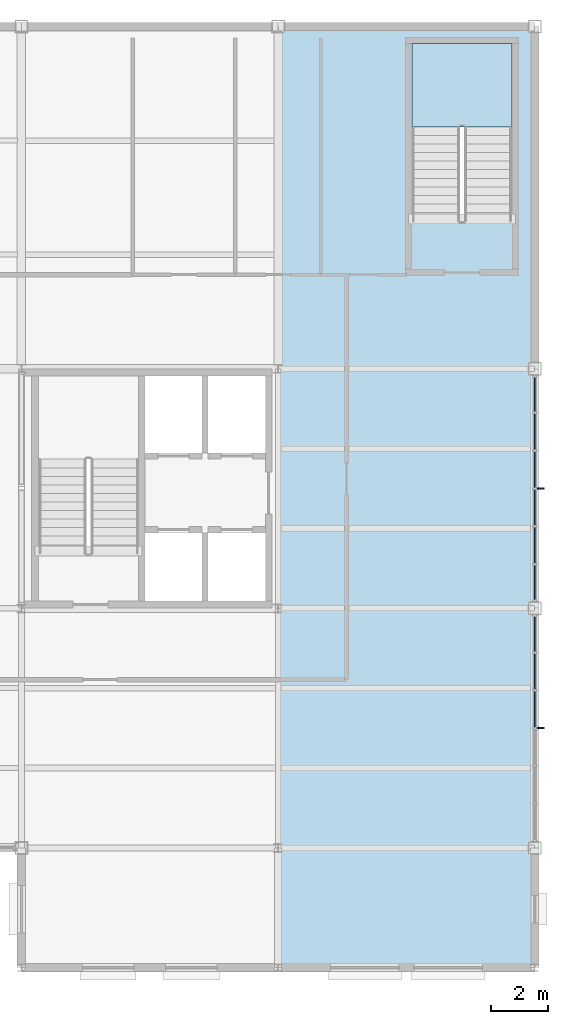
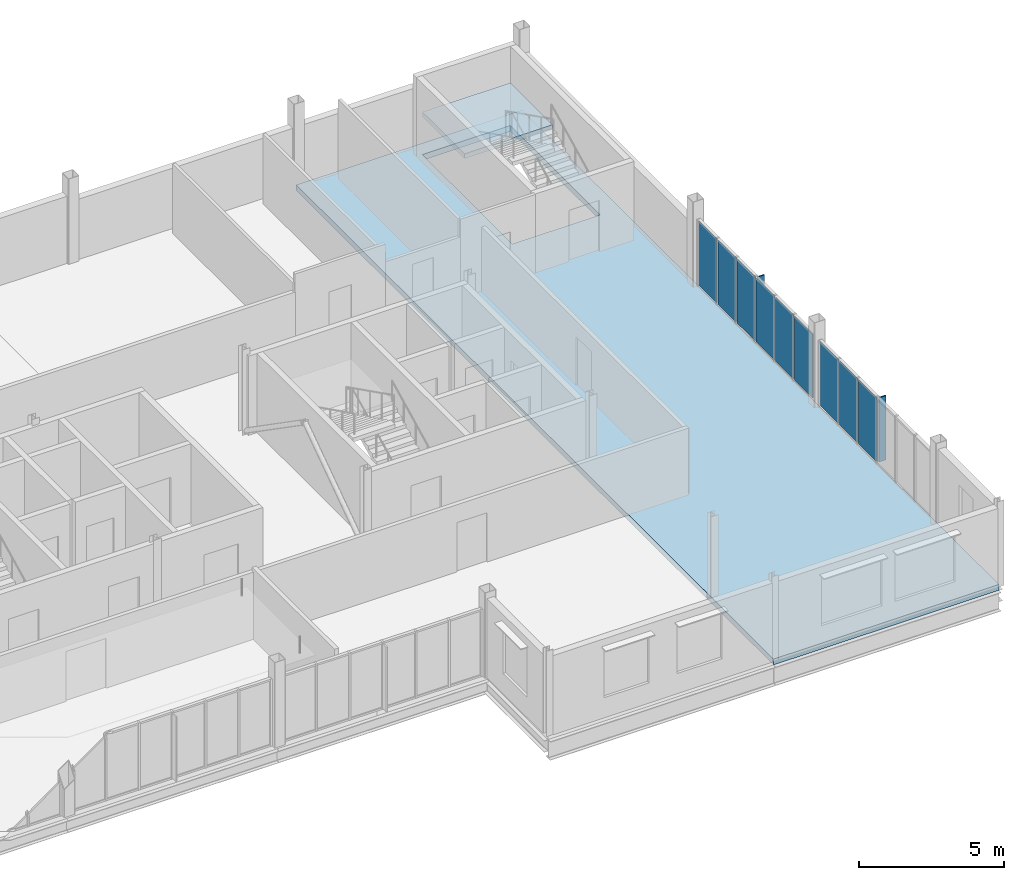
# One storey, part 12 of 19: 11 plates, 2 slabs, 3 elements without a shape of their own.
"""IFC4 building model written with IfcOpenShell, lengths in metres."""

from ifc_helpers import new_model, si_unit, direction, frame, origin, origin_2d, place, context, subcontext, project, spatial, polyline, rectangle, outline, extrude, material, layer, layer_set, type_object, element, aggregate, save


model = new_model("IFC4")

# Units and contexts
model_context = context("Model", 3, precision=1e-05, world=origin(), true_north=direction((0.0, 1.0)))
body_context = subcontext(model_context, "Body", "Model", "MODEL_VIEW")
ifc_project = project(units=[si_unit("LENGTHUNIT", "METRE"), si_unit("AREAUNIT", "SQUARE_METRE"), si_unit("VOLUMEUNIT", "CUBIC_METRE"), si_unit("PLANEANGLEUNIT", "RADIAN"), si_unit("MASSUNIT", "GRAM", prefix="KILO")], contexts=[model_context])

# Site, building, storey
site_placement = place(None, origin())
site = spatial("IfcSite", under=ifc_project, at=site_placement, CompositionType="ELEMENT")
building_placement = place(site_placement, origin())
building = spatial("IfcBuilding", under=site, at=building_placement, Name="Yukiwa Park Conservatory and Herbarium", CompositionType="ELEMENT")
storey_placement = place(building_placement, frame((0.0, 0.0, 46.800048828125)))
storey = spatial("IfcBuildingStorey", under=building, at=storey_placement, Name="L12", CompositionType="ELEMENT", Elevation=46.800048828125)

# Curtain wall, plates
ifc_material_1 = material(Name="Triple Low-E Insulated Glass", Category="glass")
ifc_layer_1 = layer(ifc_material_1, 0.22412109375)
ifc_layer_set_1 = layer_set([ifc_layer_1], Name="Triple Low-E Insulated Glass")
curtain_wall_type = type_object("IfcCurtainWallType", Name="CW-TOWER-CORNER-1400", PredefinedType="NOTDEFINED", material=ifc_layer_set_1)
curtain_wall_1_placement = place(storey_placement, origin())
curtain_wall_1 = element("IfcCurtainWall", 1, at=curtain_wall_1_placement, inside=storey, type_object=curtain_wall_type, Name="L12 unitised curtain wall CW-L12-119", PredefinedType="NOTDEFINED")
ifc_material_2 = material(Name="Triple Low-E Insulated Glass", Category="glass")
ifc_layer_2 = layer(ifc_material_2, 0.035888671875)
ifc_layer_set_2 = layer_set([ifc_layer_2], Name="Triple Low-E Insulated Glass")
plate_type_1 = type_object("IfcPlateType", Name="PL-CW-GLZ-36", PredefinedType="CURTAIN_PANEL", material=ifc_layer_set_2)
plate_1_placement = place(storey_placement, frame((168.0, 91.262451171875, 0.06982421875), z_axis=(0.0, 0.0, 1.0), x_axis=(0.0, 1.0, 0.0)))
plate_1 = element("IfcPlate", 2, at=plate_1_placement, type_object=plate_type_1, Name="CW-L12-119 vision panel 4.1", PredefinedType="CURTAIN_PANEL", context=body_context, shape_type="SweptSolid", body=[
    extrude(rectangle(XDim=1.2548828125, YDim=0.035888671875, at=origin_2d()), origin(), (0.0, 0.0, 1.0), 2.697998046875),
])
plate_2_placement = place(storey_placement, frame((168.0, 92.58740234375, 0.06982421875), z_axis=(0.0, 0.0, 1.0), x_axis=(0.0, 1.0, 0.0)))
plate_2 = element("IfcPlate", 3, at=plate_2_placement, type_object=plate_type_1, Name="CW-L12-119 vision panel 5.1", PredefinedType="CURTAIN_PANEL", context=body_context, shape_type="SweptSolid", body=[
    extrude(rectangle(XDim=1.2548828125, YDim=0.035888671875, at=origin_2d()), origin(), (0.0, 0.0, 1.0), 2.697998046875),
])
plate_3_placement = place(storey_placement, frame((168.0, 93.91259765625, 0.06982421875), z_axis=(0.0, 0.0, 1.0), x_axis=(0.0, 1.0, 0.0)))
plate_3 = element("IfcPlate", 4, at=plate_3_placement, type_object=plate_type_1, Name="CW-L12-119 vision panel 6.1", PredefinedType="CURTAIN_PANEL", context=body_context, shape_type="SweptSolid", body=[
    extrude(rectangle(XDim=1.2548828125, YDim=0.035888671875, at=origin_2d()), origin(), (0.0, 0.0, 1.0), 2.697998046875),
])
aggregate(curtain_wall_1, [plate_1, plate_2, plate_3])

curtain_wall_2_placement = place(storey_placement, origin())
curtain_wall_2 = element("IfcCurtainWall", 5, at=curtain_wall_2_placement, inside=storey, type_object=curtain_wall_type, Name="L12 unitised curtain wall CW-L12-120", PredefinedType="NOTDEFINED")
plate_4_placement = place(storey_placement, frame((168.0, 95.6875, 0.06982421875), z_axis=(0.0, 0.0, 1.0), x_axis=(0.0, 1.0, 0.0)))
plate_4 = element("IfcPlate", 6, at=plate_4_placement, type_object=plate_type_1, Name="CW-L12-120 vision panel 1.1", PredefinedType="CURTAIN_PANEL", context=body_context, shape_type="SweptSolid", body=[
    extrude(rectangle(XDim=1.2548828125, YDim=0.035888671875, at=origin_2d()), origin(), (0.0, 0.0, 1.0), 2.697998046875),
])
plate_5_placement = place(storey_placement, frame((168.0, 97.012451171875, 0.06982421875), z_axis=(0.0, 0.0, 1.0), x_axis=(0.0, 1.0, 0.0)))
plate_5 = element("IfcPlate", 7, at=plate_5_placement, type_object=plate_type_1, Name="CW-L12-120 vision panel 2.1", PredefinedType="CURTAIN_PANEL", context=body_context, shape_type="SweptSolid", body=[
    extrude(rectangle(XDim=1.2548828125, YDim=0.035888671875, at=origin_2d()), origin(), (0.0, 0.0, 1.0), 2.697998046875),
])
plate_6_placement = place(storey_placement, frame((168.0, 98.33740234375, 0.06982421875), z_axis=(0.0, 0.0, 1.0), x_axis=(0.0, 1.0, 0.0)))
plate_6 = element("IfcPlate", 8, at=plate_6_placement, type_object=plate_type_1, Name="CW-L12-120 vision panel 3.1", PredefinedType="CURTAIN_PANEL", context=body_context, shape_type="SweptSolid", body=[
    extrude(rectangle(XDim=1.2548828125, YDim=0.035888671875, at=origin_2d()), origin(), (0.0, 0.0, 1.0), 2.697998046875),
])
plate_7_placement = place(storey_placement, frame((168.0, 99.66259765625, 0.06982421875), z_axis=(0.0, 0.0, 1.0), x_axis=(0.0, 1.0, 0.0)))
plate_7 = element("IfcPlate", 9, at=plate_7_placement, type_object=plate_type_1, Name="CW-L12-120 vision panel 4.1", PredefinedType="CURTAIN_PANEL", context=body_context, shape_type="SweptSolid", body=[
    extrude(rectangle(XDim=1.2548828125, YDim=0.035888671875, at=origin_2d()), origin(), (0.0, 0.0, 1.0), 2.697998046875),
])
plate_8_placement = place(storey_placement, frame((168.0, 100.987548828125, 0.06982421875), z_axis=(0.0, 0.0, 1.0), x_axis=(0.0, 1.0, 0.0)))
plate_8 = element("IfcPlate", 10, at=plate_8_placement, type_object=plate_type_1, Name="CW-L12-120 vision panel 5.1", PredefinedType="CURTAIN_PANEL", context=body_context, shape_type="SweptSolid", body=[
    extrude(rectangle(XDim=1.2548828125, YDim=0.035888671875, at=origin_2d()), origin(), (0.0, 0.0, 1.0), 2.697998046875),
])
plate_9_placement = place(storey_placement, frame((168.0, 102.3125, 0.06982421875), z_axis=(0.0, 0.0, 1.0), x_axis=(0.0, 1.0, 0.0)))
plate_9 = element("IfcPlate", 11, at=plate_9_placement, type_object=plate_type_1, Name="CW-L12-120 vision panel 6.1", PredefinedType="CURTAIN_PANEL", context=body_context, shape_type="SweptSolid", body=[
    extrude(rectangle(XDim=1.2548828125, YDim=0.035888671875, at=origin_2d()), origin(), (0.0, 0.0, 1.0), 2.697998046875),
])
aggregate(curtain_wall_2, [plate_4, plate_5, plate_6, plate_7, plate_8, plate_9])

# Plates
ifc_material_3 = material(Name="Anodised Aluminium", Category="aluminium")
ifc_layer_3 = layer(ifc_material_3, 0.050048828125)
ifc_layer_set_3 = layer_set([ifc_layer_3], Name="Anodised Aluminium")
plate_type_2 = type_object("IfcPlateType", Name="PL-FIN-ALU-50", PredefinedType="USERDEFINED", material=ifc_layer_set_3)
for number, where, z_axis, x_axis, name in (
    (12, (168.18994140625, 90.60009765625, 0.06005859375), (0.0, 0.0, 1.0), (0.0, 1.0, 0.0), "CW-L12-119 exterior vertical shading fin"),
    (13, (168.18994140625, 99.0, 0.06005859375), (0.0, 0.0, 1.0), (0.0, 1.0, 0.0), "CW-L12-120 exterior vertical shading fin"),
):
    element("IfcPlate", number, at=place(storey_placement, frame(where, z_axis=z_axis, x_axis=x_axis)), inside=storey, type_object=plate_type_2, Name=name, ObjectType="SHADING FIN", PredefinedType="USERDEFINED", context=body_context, shape_type="SweptSolid", body=[
        extrude(rectangle(XDim=0.050048828125, YDim=0.280029296875, at=origin_2d()), origin(), (0.0, 0.0, 1.0), 2.718017578125),
    ])

# Slab
ifc_material_4 = material(Name="Concrete C40", Category="concrete")
ifc_layer_4 = layer(ifc_material_4, 0.24609375)
ifc_layer_set_4 = layer_set([ifc_layer_4], Name="Concrete C40")
slab_type_1 = type_object("IfcSlabType", Name="SL-FLR-246", PredefinedType="FLOOR", material=ifc_layer_set_4)
slab_1_placement = place(storey_placement, frame((0.0, 0.0, -0.24609375)))
element("IfcSlab", 14, at=slab_1_placement, inside=storey, type_object=slab_type_1, Name="L12 composite structural floor slab V5E", PredefinedType="FLOOR", context=body_context, shape_type="SweptSolid", body=[
    extrude(outline(polyline([(168.0, 82.199951171875), (159.0, 82.199951171875), (159.0, 115.199951171875), (168.0, 115.199951171875), (168.0, 82.199951171875)]), holes=[polyline([(167.199951171875, 114.60009765625), (163.68994140625, 114.60009765625), (163.68994140625, 108.3798828125), (167.199951171875, 108.3798828125), (167.199951171875, 114.60009765625)])]), origin(), (0.0, 0.0, 1.0), 0.24609375),
])

# Stair, slab
ifc_material_5 = material(Name="Concrete C40", Category="concrete")
stair_type = type_object("IfcStairType", Name="ST-DOGLEG-ST-T3", PredefinedType="HALF_TURN_STAIR", material=ifc_material_5)
stair_placement = place(storey_placement, origin())
stair = element("IfcStair", 15, at=stair_placement, inside=storey, type_object=stair_type, Name="L12 Protected Smoke-Proof Stair ST-T3", PredefinedType="HALF_TURN_STAIR")
ifc_material_6 = material(Name="Concrete C40", Category="concrete")
ifc_layer_5 = layer(ifc_material_6, 0.199951171875)
ifc_layer_set_5 = layer_set([ifc_layer_5], Name="Concrete C40")
slab_type_2 = type_object("IfcSlabType", Name="SL-LANDING-220", PredefinedType="LANDING", material=ifc_layer_set_5)
slab_2_placement = place(storey_placement, frame((0.0, 0.0, 1.599853515625)))
slab_2 = element("IfcSlab", 16, at=slab_2_placement, type_object=slab_type_2, Name="ST-T3 landing 1", PredefinedType="LANDING", context=body_context, shape_type="SweptSolid", body=[
    extrude(outline(polyline([(167.199951171875, 111.679931640625), (167.199951171875, 114.60009765625), (163.68994140625, 114.60009765625), (163.68994140625, 111.679931640625), (167.199951171875, 111.679931640625)])), origin(), (0.0, 0.0, 1.0), 0.2001953125),
])
aggregate(stair, [slab_2])

save(model, "model.ifc")
